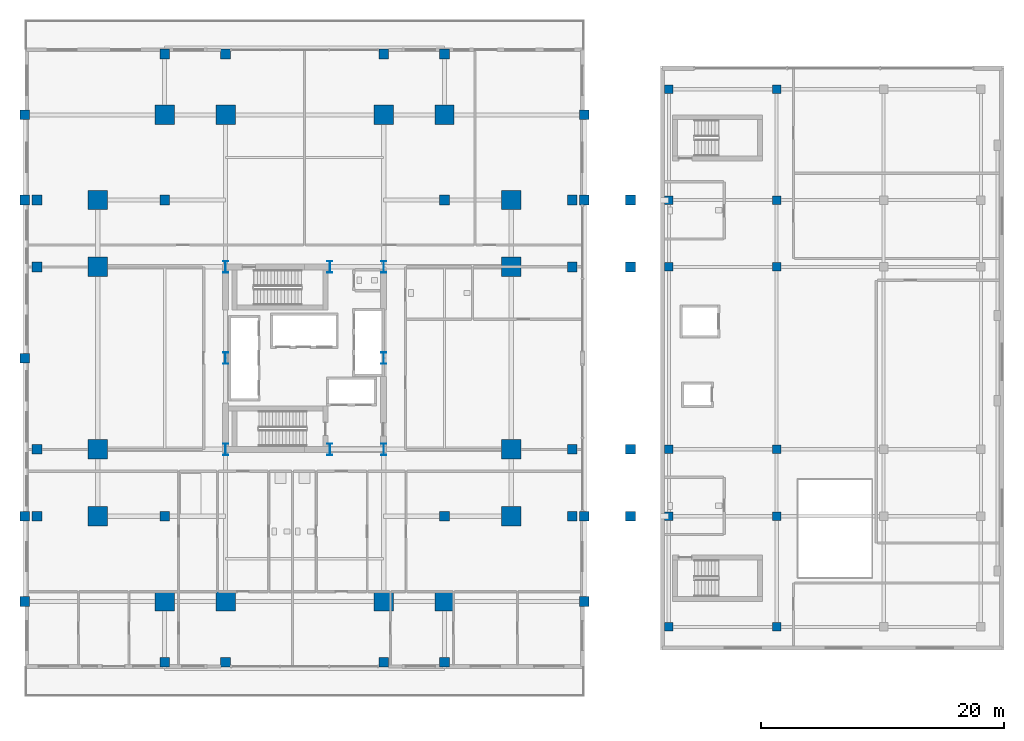
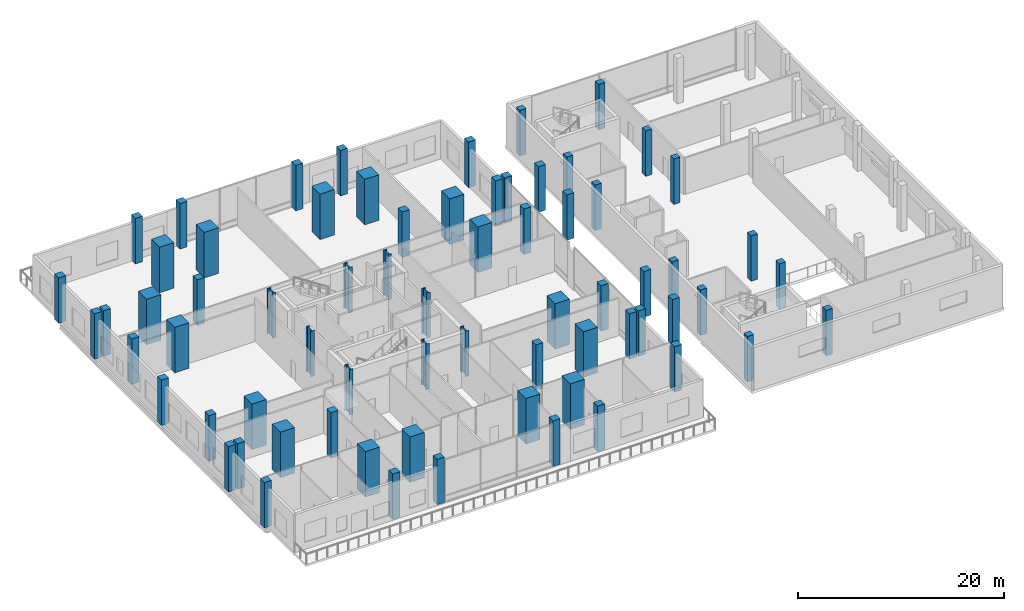
# One storey, part 1 of 32: 69 columns.
"""IFC4 building model written with IfcOpenShell, lengths in metres."""

import ifcopenshell
import ifcopenshell.guid

model = None  # the IFC model being written
_history = None  # IfcOwnerHistory: only IFC2X3 demands one
_inside = {}  # id of a spatial element -> (the spatial element, [elements in it])
_under = {}  # id of a project, library or spatial element -> (it, [spatial elements below it])
_declared = {}  # id of a project -> (the project, [libraries it declares])
_typed = {}  # id of a type object -> (the type object, [elements of that type])
_made_of = {}  # id of a material, layer set ... -> (it, [elements and type objects made of it])


def new_model(schema):
    """Start an empty IFC model of exactly this schema.

    Asked for "IFC4X3", IfcOpenShell would pick the latest addendum, in which some entities
    have other attributes; the version numbers below select the first issue.
    IFC2X3 requires an IfcOwnerHistory on every rooted entity: one is made here for all.
    """
    global model, _history
    if schema == "IFC4X3":
        model = ifcopenshell.file(schema_version=(4, 3, 0, 0))
    else:
        model = ifcopenshell.file(schema=schema)
    _inside.clear()
    _under.clear()
    _declared.clear()
    _typed.clear()
    _made_of.clear()
    _history = None
    if model.schema == "IFC2X3":
        org = make("IfcOrganization", Name="unknown")
        user = make(
            "IfcPersonAndOrganization",
            ThePerson=make("IfcPerson", FamilyName="unknown"),
            TheOrganization=org,
        )
        app = make(
            "IfcApplication",
            ApplicationDeveloper=org,
            Version="unknown",
            ApplicationFullName="unknown",
            ApplicationIdentifier="unknown",
        )
        _history = make(
            "IfcOwnerHistory",
            OwningUser=user,
            OwningApplication=app,
            ChangeAction="ADDED",
            CreationDate=0,
        )
    return model


def make(cls, **values):
    """One entity of the class cls with the attributes given. An attribute that is None is left unset."""
    return model.create_entity(
        cls, **{name: value for name, value in values.items() if value is not None}
    )


def rooted(cls, **values):
    """An entity with a GlobalId (a new one), such as an element, a storey or a relation."""
    return make(cls, GlobalId=ifcopenshell.guid.new(), OwnerHistory=_history, **values)


def si_unit(unit_type, name, prefix=None):
    """IfcSIUnit, for example si_unit("LENGTHUNIT", "METRE", prefix="MILLI")."""
    return make("IfcSIUnit", UnitType=unit_type, Prefix=prefix, Name=name)


def assignment(units):
    """IfcUnitAssignment: the units of a project."""
    return None if units is None else make("IfcUnitAssignment", Units=units)


def point(xyz):
    """IfcCartesianPoint."""
    return None if xyz is None else make("IfcCartesianPoint", Coordinates=xyz)


def direction(xyz):
    """IfcDirection."""
    return None if xyz is None else make("IfcDirection", DirectionRatios=xyz)


def frame(location, z_axis=None, x_axis=None):
    """IfcAxis2Placement3D, a coordinate frame: its origin and axes. An axis left out is left unset."""
    return make(
        "IfcAxis2Placement3D",
        Location=point(location),
        Axis=direction(z_axis),
        RefDirection=direction(x_axis),
    )


def frame_2d(location, x_axis=None):
    """IfcAxis2Placement2D, a coordinate frame in the plane: its origin and x axis."""
    return make(
        "IfcAxis2Placement2D", Location=point(location), RefDirection=direction(x_axis)
    )


def origin():
    """The frame at (0, 0, 0) with its axes left unset."""
    return frame((0.0, 0.0, 0.0))


def origin_2d():
    """The frame at (0, 0) in the plane with its x axis left unset."""
    return frame_2d((0.0, 0.0))


def place(relative_to, where):
    """IfcLocalPlacement: puts the frame where relative to a parent placement (None: the world)."""
    return make(
        "IfcLocalPlacement", PlacementRelTo=relative_to, RelativePlacement=where
    )


def context(
    kind, dimensions, precision=None, world=None, true_north=None, identifier=None
):
    """IfcGeometricRepresentationContext, for example the 3D "Model" context."""
    return make(
        "IfcGeometricRepresentationContext",
        ContextIdentifier=identifier,
        ContextType=kind,
        CoordinateSpaceDimension=dimensions,
        Precision=precision,
        WorldCoordinateSystem=world,
        TrueNorth=true_north,
    )


def subcontext(parent, identifier, kind, view, scale=None):
    """IfcGeometricRepresentationSubContext, for example "Body" below "Model"."""
    return make(
        "IfcGeometricRepresentationSubContext",
        ContextIdentifier=identifier,
        ContextType=kind,
        ParentContext=parent,
        TargetScale=scale,
        TargetView=view,
    )


def project(units=None, contexts=None):
    """IfcProject with its units and contexts."""
    return rooted(
        "IfcProject",
        Name="project",
        RepresentationContexts=contexts,
        UnitsInContext=assignment(units),
    )


def spatial(cls, under=None, at=None, **own):
    """A site, building, storey or space (cls), placed at a placement, below another one or the project."""
    s = rooted(cls, ObjectPlacement=at, **own)
    if under is not None:
        _under.setdefault(under.id(), (under, []))[1].append(s)
    return s


def profile(cls, at=None, kind="AREA", **sizes):
    """A parametric profile (cls). Its sizes go by their IFC names, for example OverallWidth=200.0."""
    return make(cls, ProfileType=kind, Position=at, **sizes)


def rectangle(**sizes):
    """IfcRectangleProfileDef."""
    return profile("IfcRectangleProfileDef", **sizes)


def i_section(**sizes):
    """IfcIShapeProfileDef."""
    return profile("IfcIShapeProfileDef", **sizes)


def extrude(swept, where, along, depth):
    """IfcExtrudedAreaSolid: the profile swept, set in the frame where, extruded along a direction by depth."""
    return make(
        "IfcExtrudedAreaSolid",
        SweptArea=swept,
        Position=where,
        ExtrudedDirection=direction(along),
        Depth=depth,
    )


def shape(context_of_items, identifier, shape_type, items):
    """IfcShapeRepresentation: the items that make up one representation, for example the "Body"."""
    return make(
        "IfcShapeRepresentation",
        ContextOfItems=context_of_items,
        RepresentationIdentifier=identifier,
        RepresentationType=shape_type,
        Items=items,
    )


def material(Name=None, Category=None):
    """IfcMaterial."""
    return make("IfcMaterial", Name=Name, Category=Category)


def material_profile(
    of_material, cross_section, Name=None, Category=None, Priority=None
):
    """IfcMaterialProfile: a cross section and its material."""
    return make(
        "IfcMaterialProfile",
        Name=Name,
        Material=of_material,
        Profile=cross_section,
        Priority=Priority,
        Category=Category,
    )


def profile_set(profiles, Name=None, composite=None):
    """IfcMaterialProfileSet."""
    return make(
        "IfcMaterialProfileSet",
        Name=Name,
        MaterialProfiles=profiles,
        CompositeProfile=composite,
    )


def made_of(thing, what):
    """Note that an element or type object is made of a material, layer set ...; save() writes the relation."""
    if what is not None:
        _made_of.setdefault(what.id(), (what, []))[1].append(thing)
    return thing


def type_object(cls, material=None, **own):
    """A type object (cls), such as IfcWallType, which elements share."""
    return made_of(rooted(cls, **own), material)


def element(
    cls,
    number,
    at=None,
    inside=None,
    cuts=None,
    type_object=None,
    material=None,
    context=None,
    identifier="Body",
    shape_type=None,
    held_by="IfcProductDefinitionShape",
    body=None,
    shapes=None,
    **own,
):
    """One element of the class cls, such as IfcWall. Its Tag is "e" and its number.

    at: its placement. inside: the storey or other place that contains it. cuts: it is an
    opening in that element (IfcRelVoidsElement). A single representation is given by context,
    identifier, shape_type and body (its items); several are given by shapes. held_by: the class
    of the entity that holds the representations. save() writes the other relations.
    """
    e = rooted(cls, Tag="e%d" % number, ObjectPlacement=at, **own)
    if body is not None:
        shapes = [shape(context, identifier, shape_type, body)]
    if shapes is not None:
        e.Representation = make(held_by, Representations=shapes)
    if inside is not None:
        _inside.setdefault(inside.id(), (inside, []))[1].append(e)
    if cuts is not None:
        rooted(
            "IfcRelVoidsElement", RelatingBuildingElement=cuts, RelatedOpeningElement=e
        )
    if type_object is not None:
        _typed.setdefault(type_object.id(), (type_object, []))[1].append(e)
    return made_of(e, material)


def aggregate(whole, parts):
    """IfcRelAggregates: a whole, such as a stair, and the parts it consists of."""
    return rooted("IfcRelAggregates", RelatingObject=whole, RelatedObjects=parts)


def save(model, path):
    """Write the relations noted so far, then the file.

    IfcRelAggregates (storeys below a building ...), IfcRelContainedInSpatialStructure (elements
    in a storey), IfcRelDefinesByType, IfcRelAssociatesMaterial and IfcRelDeclares: one each for
    every whole, place, type object, material and project.
    """
    for whole, parts in _under.values():
        aggregate(whole, parts)
    for where, things in _inside.values():
        rooted(
            "IfcRelContainedInSpatialStructure",
            RelatedElements=things,
            RelatingStructure=where,
        )
    for kind, things in _typed.values():
        rooted("IfcRelDefinesByType", RelatedObjects=things, RelatingType=kind)
    for what, things in _made_of.values():
        rooted("IfcRelAssociatesMaterial", RelatedObjects=things, RelatingMaterial=what)
    for by, libraries in _declared.values():
        rooted("IfcRelDeclares", RelatingContext=by, RelatedDefinitions=libraries)
    model.write(path)


model = new_model("IFC4")

# Units and contexts
model_context = context("Model", 3, precision=1e-05, world=origin(), true_north=direction((0.0, 1.0)))
body_context = subcontext(model_context, "Body", "Model", "MODEL_VIEW")
ifc_project = project(units=[si_unit("LENGTHUNIT", "METRE"), si_unit("AREAUNIT", "SQUARE_METRE"), si_unit("VOLUMEUNIT", "CUBIC_METRE"), si_unit("PLANEANGLEUNIT", "RADIAN"), si_unit("MASSUNIT", "GRAM", prefix="KILO")], contexts=[model_context])

# Site, building, storey
site_placement = place(None, origin())
site = spatial("IfcSite", under=ifc_project, at=site_placement, CompositionType="ELEMENT")
building_placement = place(site_placement, origin())
building = spatial("IfcBuilding", under=site, at=building_placement, Name="Barlavira Tower and Art Museum", CompositionType="ELEMENT")
storey_placement = place(building_placement, frame((0.0, 0.0, 6.0)))
storey = spatial("IfcBuildingStorey", under=building, at=storey_placement, Name="L01", CompositionType="ELEMENT", Elevation=6.0)

# Columns
ifc_material_1 = material(Name="Steel S355", Category="steel")
ifc_material_profile_1 = material_profile(ifc_material_1, i_section(OverallWidth=0.419921875, OverallDepth=0.9599609375, WebThickness=0.02197265625, FlangeThickness=0.033935546875, at=origin_2d()), Name="W920x387.0")
ifc_profile_set_1 = profile_set([ifc_material_profile_1], Name="Steel S355")
column_type_1 = type_object("IfcColumnType", Name="Core Composite Column W920x387 Steel S355", PredefinedType="COLUMN", material=ifc_profile_set_1)
for number, where, z_axis, x_axis, name in (
    (1, (-6.5, -7.5, 0.0), (0.0, 0.0, 1.0), (1.0, 0.0, 0.0), "L01 Column CC-L01-C1"),
    (2, (2.080078125, -7.5, 0.0), (0.0, 0.0, 1.0), (1.0, 0.0, 0.0), "L01 Column CC-L01-C2"),
    (3, (6.5, -7.5, 0.0), (0.0, 0.0, 1.0), (1.0, 0.0, 0.0), "L01 Column CC-L01-C3"),
    (4, (-6.5, 0.0, 0.0), (0.0, 0.0, 1.0), (1.0, 0.0, 0.0), "L01 Column CC-L01-C4"),
    (5, (6.5, 0.0, 0.0), (0.0, 0.0, 1.0), (1.0, 0.0, 0.0), "L01 Column CC-L01-C5"),
    (6, (-6.5, 7.5, 0.0), (0.0, 0.0, 1.0), (1.0, 0.0, 0.0), "L01 Column CC-L01-C6"),
    (7, (2.080078125, 7.5, 0.0), (0.0, 0.0, 1.0), (1.0, 0.0, 0.0), "L01 Column CC-L01-C7"),
    (8, (6.5, 7.5, 0.0), (0.0, 0.0, 1.0), (1.0, 0.0, 0.0), "L01 Column CC-L01-C8"),
):
    element("IfcColumn", number, at=place(storey_placement, frame(where, z_axis=z_axis, x_axis=x_axis)), inside=storey, type_object=column_type_1, Name=name, PredefinedType="COLUMN", context=body_context, shape_type="SweptSolid", body=[
        extrude(i_section(OverallWidth=0.419921875, OverallDepth=0.9599609375, WebThickness=0.02197265625, FlangeThickness=0.033935546875, at=origin_2d()), origin(), (0.0, 0.0, 1.0), 5.39990234375),
    ])
ifc_material_2 = material(Name="Concrete C50", Category="concrete")
ifc_material_profile_2 = material_profile(ifc_material_2, rectangle(XDim=0.699951171875, YDim=0.699951171875, at=origin_2d()), Name="RC-COL 700x700")
ifc_profile_set_2 = profile_set([ifc_material_profile_2], Name="Concrete C50")
column_type_2 = type_object("IfcColumnType", Name="Museum Frame Column 700x700 Concrete C50", PredefinedType="COLUMN", material=ifc_profile_set_2)
for number, where, z_axis, x_axis, name in (
    (9, (29.949951171875, -22.10009765625, 0.0), (0.0, 0.0, 1.0), (1.0, 0.0, 0.0), "L01 Museum Column 1-1"),
    (10, (29.949951171875, -13.0, 0.0), (0.0, 0.0, 1.0), (1.0, 0.0, 0.0), "L01 Museum Column 1-2"),
    (11, (29.949951171875, -7.5, 0.0), (0.0, 0.0, 1.0), (1.0, 0.0, 0.0), "L01 Museum Column 1-3"),
    (12, (29.949951171875, 7.5, 0.0), (0.0, 0.0, 1.0), (1.0, 0.0, 0.0), "L01 Museum Column 1-4"),
    (13, (29.949951171875, 13.0, 0.0), (0.0, 0.0, 1.0), (1.0, 0.0, 0.0), "L01 Museum Column 1-5"),
    (14, (29.949951171875, 22.10009765625, 0.0), (0.0, 0.0, 1.0), (1.0, 0.0, 0.0), "L01 Museum Column 1-6"),
    (15, (38.800048828125, -22.10009765625, 0.0), (0.0, 0.0, 1.0), (1.0, 0.0, 0.0), "L01 Museum Column 2-1"),
    (16, (38.800048828125, -13.0, 0.0), (0.0, 0.0, 1.0), (1.0, 0.0, 0.0), "L01 Museum Column 2-2"),
    (17, (38.800048828125, -7.5, 0.0), (0.0, 0.0, 1.0), (1.0, 0.0, 0.0), "L01 Museum Column 2-3"),
    (18, (38.800048828125, 7.5, 0.0), (0.0, 0.0, 1.0), (1.0, 0.0, 0.0), "L01 Museum Column 2-4"),
    (19, (38.800048828125, 13.0, 0.0), (0.0, 0.0, 1.0), (1.0, 0.0, 0.0), "L01 Museum Column 2-5"),
    (20, (38.800048828125, 22.10009765625, 0.0), (0.0, 0.0, 1.0), (1.0, 0.0, 0.0), "L01 Museum Column 2-6"),
):
    element("IfcColumn", number, at=place(storey_placement, frame(where, z_axis=z_axis, x_axis=x_axis)), inside=storey, type_object=column_type_2, Name=name, PredefinedType="COLUMN", context=body_context, shape_type="SweptSolid", body=[
        extrude(rectangle(XDim=0.699951171875, YDim=0.699951171875, at=origin_2d()), origin(), (0.0, 0.0, 1.0), 5.39990234375),
    ])
ifc_material_3 = material(Name="Concrete C60", Category="concrete")
ifc_material_profile_3 = material_profile(ifc_material_3, rectangle(XDim=1.60009765625, YDim=1.60009765625, at=origin_2d()), Name="RC-MCOL 1600x1600")
ifc_profile_set_3 = profile_set([ifc_material_profile_3], Name="Concrete C60")
column_type_3 = type_object("IfcColumnType", Name="Perimeter Mega Column 1600x1600 Concrete C60", PredefinedType="USERDEFINED", material=ifc_profile_set_3)
for number, where, z_axis, x_axis, name in (
    (21, (-11.5, -20.0, 0.0), (0.0, 0.0, 1.0), (1.0, 0.0, 0.0), "L01 Column MC-L01-M01"),
    (22, (-6.5, -20.0, 0.0), (0.0, 0.0, 1.0), (1.0, 0.0, 0.0), "L01 Column MC-L01-M02"),
    (23, (6.5, -20.0, 0.0), (0.0, 0.0, 1.0), (1.0, 0.0, 0.0), "L01 Column MC-L01-M03"),
    (24, (11.5, -20.0, 0.0), (0.0, 0.0, 1.0), (1.0, 0.0, 0.0), "L01 Column MC-L01-M04"),
    (25, (17.0, -13.0, 0.0), (0.0, 0.0, 1.0), (1.0, 0.0, 0.0), "L01 Column MC-L01-M05"),
    (26, (17.0, -7.5, 0.0), (0.0, 0.0, 1.0), (1.0, 0.0, 0.0), "L01 Column MC-L01-M06"),
    (27, (17.0, 7.5, 0.0), (0.0, 0.0, 1.0), (1.0, 0.0, 0.0), "L01 Column MC-L01-M07"),
    (28, (17.0, 13.0, 0.0), (0.0, 0.0, 1.0), (1.0, 0.0, 0.0), "L01 Column MC-L01-M08"),
    (29, (11.5, 20.0, 0.0), (0.0, 0.0, 1.0), (1.0, 0.0, 0.0), "L01 Column MC-L01-M09"),
    (30, (6.5, 20.0, 0.0), (0.0, 0.0, 1.0), (1.0, 0.0, 0.0), "L01 Column MC-L01-M10"),
    (31, (-6.5, 20.0, 0.0), (0.0, 0.0, 1.0), (1.0, 0.0, 0.0), "L01 Column MC-L01-M11"),
    (32, (-11.5, 20.0, 0.0), (0.0, 0.0, 1.0), (1.0, 0.0, 0.0), "L01 Column MC-L01-M12"),
    (33, (-17.0, 13.0, 0.0), (0.0, 0.0, 1.0), (1.0, 0.0, 0.0), "L01 Column MC-L01-M13"),
    (34, (-17.0, 7.5, 0.0), (0.0, 0.0, 1.0), (1.0, 0.0, 0.0), "L01 Column MC-L01-M14"),
    (35, (-17.0, -7.5, 0.0), (0.0, 0.0, 1.0), (1.0, 0.0, 0.0), "L01 Column MC-L01-M15"),
    (36, (-17.0, -13.0, 0.0), (0.0, 0.0, 1.0), (1.0, 0.0, 0.0), "L01 Column MC-L01-M16"),
):
    element("IfcColumn", number, at=place(storey_placement, frame(where, z_axis=z_axis, x_axis=x_axis)), inside=storey, type_object=column_type_3, Name=name, ObjectType="MEGA COLUMN", PredefinedType="USERDEFINED", context=body_context, shape_type="SweptSolid", body=[
        extrude(rectangle(XDim=1.60009765625, YDim=1.60009765625, at=origin_2d()), origin(), (0.0, 0.0, 1.0), 5.39990234375),
    ])
ifc_material_profile_4 = material_profile(ifc_material_2, rectangle(XDim=0.800048828125, YDim=0.800048828125, at=origin_2d()), Name="RC-COL 800x800")
ifc_profile_set_4 = profile_set([ifc_material_profile_4], Name="Concrete C50")
column_type_4 = type_object("IfcColumnType", Name="Podium Frame Column 800x800 Concrete C50", PredefinedType="COLUMN", material=ifc_profile_set_4)
for number, where, z_axis, x_axis, name in (
    (37, (-23.0, -20.0, 0.0), (0.0, 0.0, 1.0), (1.0, 0.0, 0.0), "L01 Column CP-L01-P1"),
    (38, (-23.0, -13.0, 0.0), (0.0, 0.0, 1.0), (1.0, 0.0, 0.0), "L01 Column CP-L01-P2"),
    (39, (-23.0, 0.0, 0.0), (0.0, 0.0, 1.0), (1.0, 0.0, 0.0), "L01 Column CP-L01-P3"),
    (40, (-23.0, 13.0, 0.0), (0.0, 0.0, 1.0), (1.0, 0.0, 0.0), "L01 Column CP-L01-P4"),
    (41, (-23.0, 20.0, 0.0), (0.0, 0.0, 1.0), (1.0, 0.0, 0.0), "L01 Column CP-L01-P5"),
    (42, (23.0, -20.0, 0.0), (0.0, 0.0, 1.0), (1.0, 0.0, 0.0), "L01 Column CP-L01-P6"),
    (43, (23.0, -13.0, 0.0), (0.0, 0.0, 1.0), (1.0, 0.0, 0.0), "L01 Column CP-L01-P7"),
    (44, (23.0, 13.0, 0.0), (0.0, 0.0, 1.0), (1.0, 0.0, 0.0), "L01 Column CP-L01-P8"),
    (45, (23.0, 20.0, 0.0), (0.0, 0.0, 1.0), (1.0, 0.0, 0.0), "L01 Column CP-L01-P9"),
    (46, (-11.5, -13.0, 0.0), (0.0, 0.0, 1.0), (1.0, 0.0, 0.0), "L01 Column CI-L01-I1"),
    (47, (11.5, -13.0, 0.0), (0.0, 0.0, 1.0), (1.0, 0.0, 0.0), "L01 Column CI-L01-I2"),
    (48, (-11.5, 13.0, 0.0), (0.0, 0.0, 1.0), (1.0, 0.0, 0.0), "L01 Column CI-L01-I3"),
    (49, (11.5, 13.0, 0.0), (0.0, 0.0, 1.0), (1.0, 0.0, 0.0), "L01 Column CI-L01-I4"),
    (50, (-11.5, -25.0, 0.0), (0.0, 0.0, 1.0), (1.0, 0.0, 0.0), "L01 Column CZ1-L01-N01"),
    (51, (-6.5, -25.0, 0.0), (0.0, 0.0, 1.0), (1.0, 0.0, 0.0), "L01 Column CZ1-L01-N02"),
    (52, (6.5, -25.0, 0.0), (0.0, 0.0, 1.0), (1.0, 0.0, 0.0), "L01 Column CZ1-L01-N02B"),
    (53, (11.5, -25.0, 0.0), (0.0, 0.0, 1.0), (1.0, 0.0, 0.0), "L01 Column CZ1-L01-N03"),
    (54, (-22.0, -13.0, 0.0), (0.0, 0.0, 1.0), (1.0, 0.0, 0.0), "L01 Column CZ1-L01-N04"),
    (55, (-22.0, -7.5, 0.0), (0.0, 0.0, 1.0), (1.0, 0.0, 0.0), "L01 Column CZ1-L01-N05"),
    (56, (-22.0, 7.5, 0.0), (0.0, 0.0, 1.0), (1.0, 0.0, 0.0), "L01 Column CZ1-L01-N05B"),
    (57, (-22.0, 13.0, 0.0), (0.0, 0.0, 1.0), (1.0, 0.0, 0.0), "L01 Column CZ1-L01-N06"),
    (58, (-11.5, 25.0, 0.0), (0.0, 0.0, 1.0), (1.0, 0.0, 0.0), "L01 Column CZ1-L01-N07"),
    (59, (-6.5, 25.0, 0.0), (0.0, 0.0, 1.0), (1.0, 0.0, 0.0), "L01 Column CZ1-L01-N08"),
    (60, (6.5, 25.0, 0.0), (0.0, 0.0, 1.0), (1.0, 0.0, 0.0), "L01 Column CZ1-L01-N08B"),
    (61, (11.5, 25.0, 0.0), (0.0, 0.0, 1.0), (1.0, 0.0, 0.0), "L01 Column CZ1-L01-N09"),
    (62, (22.0, -13.0, 0.0), (0.0, 0.0, 1.0), (1.0, 0.0, 0.0), "L01 Column CZ1-L01-N10"),
    (63, (22.0, -7.5, 0.0), (0.0, 0.0, 1.0), (1.0, 0.0, 0.0), "L01 Column CZ1-L01-N11"),
    (64, (22.0, 7.5, 0.0), (0.0, 0.0, 1.0), (1.0, 0.0, 0.0), "L01 Column CZ1-L01-N11B"),
    (65, (22.0, 13.0, 0.0), (0.0, 0.0, 1.0), (1.0, 0.0, 0.0), "L01 Column CZ1-L01-N12"),
    (66, (26.800048828125, -13.0, 0.0), (0.0, 0.0, 1.0), (1.0, 0.0, 0.0), "L01 Arcade Column 1"),
    (67, (26.800048828125, -7.5, 0.0), (0.0, 0.0, 1.0), (1.0, 0.0, 0.0), "L01 Arcade Column 2"),
    (68, (26.800048828125, 7.5, 0.0), (0.0, 0.0, 1.0), (1.0, 0.0, 0.0), "L01 Arcade Column 3"),
    (69, (26.800048828125, 13.0, 0.0), (0.0, 0.0, 1.0), (1.0, 0.0, 0.0), "L01 Arcade Column 4"),
):
    element("IfcColumn", number, at=place(storey_placement, frame(where, z_axis=z_axis, x_axis=x_axis)), inside=storey, type_object=column_type_4, Name=name, PredefinedType="COLUMN", context=body_context, shape_type="SweptSolid", body=[
        extrude(rectangle(XDim=0.800048828125, YDim=0.800048828125, at=origin_2d()), origin(), (0.0, 0.0, 1.0), 5.39990234375),
    ])

save(model, "model.ifc")
